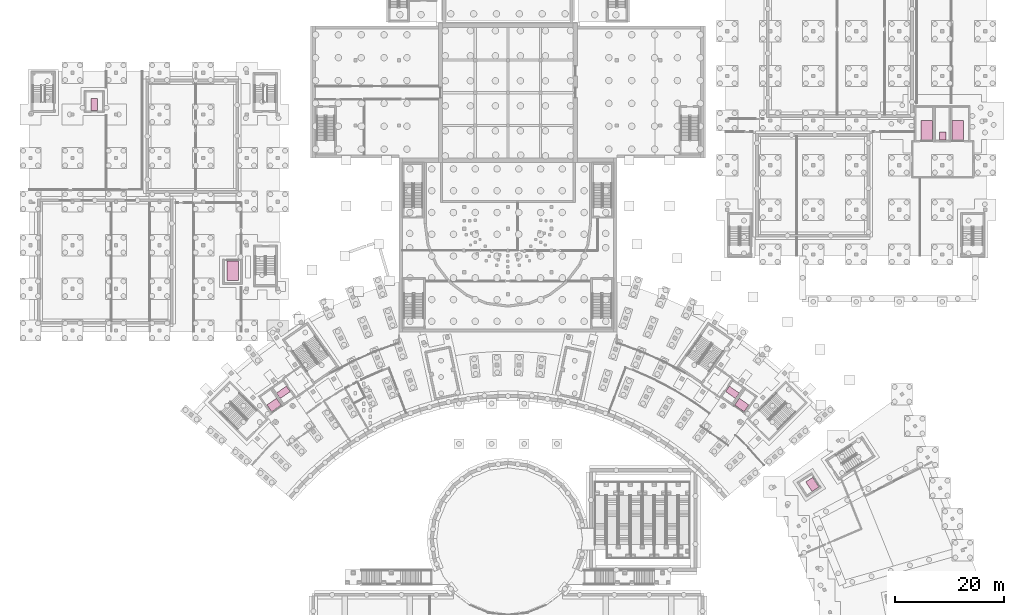
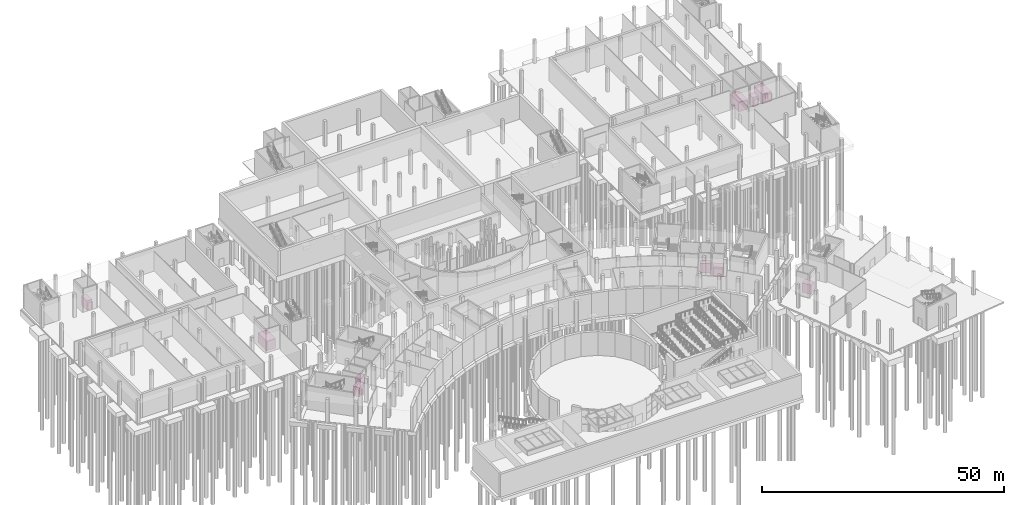
# One storey, part 66 of 66: 10 transport elements.
"""IFC4 building model written with IfcOpenShell, lengths in metres."""

from ifc_helpers import new_model, si_unit, direction, frame, origin, origin_2d, place, context, subcontext, project, spatial, rectangle, extrude, material, type_object, element, save


model = new_model("IFC4")

# Units and contexts
model_context = context("Model", 3, precision=1e-05, world=origin(), true_north=direction((0.0, 1.0)))
body_context = subcontext(model_context, "Body", "Model", "MODEL_VIEW")
ifc_project = project(units=[si_unit("LENGTHUNIT", "METRE"), si_unit("AREAUNIT", "SQUARE_METRE"), si_unit("VOLUMEUNIT", "CUBIC_METRE"), si_unit("PLANEANGLEUNIT", "RADIAN"), si_unit("MASSUNIT", "GRAM", prefix="KILO")], contexts=[model_context])

# Site, building, storey
site_placement = place(None, origin())
site = spatial("IfcSite", under=ifc_project, at=site_placement, CompositionType="ELEMENT")
building_placement = place(site_placement, origin())
building = spatial("IfcBuilding", under=site, at=building_placement, Name="Lunette Opera House", CompositionType="ELEMENT")
storey_placement = place(building_placement, frame((0.0, 0.0, -6.0)))
storey = spatial("IfcBuildingStorey", under=building, at=storey_placement, Name="B1", CompositionType="ELEMENT", Elevation=-6.0)

# Transport elements
ifc_material = material(Name="Stainless steel", Category="steel")
transport_element_type = type_object("IfcTransportElementType", Name="LIFT CAR", PredefinedType="ELEVATOR", material=ifc_material)
for number, where, z_axis, x_axis, name in (
    (1, (137.259033203125, 52.9619140625, 0.0), (0.0, 0.0, 1.0), (-0.573762281289, -0.81902188284, 0.0), "Lift FL1 car"),
    (2, (54.740966796875, 52.9619140625, 0.0), (0.0, 0.0, 1.0), (-0.573762281289, 0.81902188284, 0.0), "Lift FL2 car"),
):
    element("IfcTransportElement", number, at=place(storey_placement, frame(where, z_axis=z_axis, x_axis=x_axis)), inside=storey, type_object=transport_element_type, Name=name, PredefinedType="ELEVATOR", context=body_context, shape_type="SweptSolid", body=[
        extrude(rectangle(XDim=1.219970703125, YDim=2.219970703125, at=origin_2d()), origin(), (0.0, 0.0, 1.0), 2.39990234375),
    ])
for number, where, z_axis, x_axis, name in (
    (3, (53.037109375, 50.635009765625, 0.0), (0.0, 0.0, 1.0), (0.819202095156, 0.573504949666, 0.0), "Lift LF1 car"),
    (4, (138.962890625, 50.635009765625, 0.0), (0.0, 0.0, 1.0), (0.819202095156, -0.573504949666, 0.0), "Lift LF2 car"),
):
    element("IfcTransportElement", number, at=place(storey_placement, frame(where, z_axis=z_axis, x_axis=x_axis)), inside=storey, type_object=transport_element_type, Name=name, PredefinedType="ELEVATOR", context=body_context, shape_type="SweptSolid", body=[
        extrude(rectangle(XDim=2.1201171875, YDim=1.52001953125, at=origin_2d()), origin(), (0.0, 0.0, 1.0), 2.39990234375),
    ])
transport_element_1_placement = place(storey_placement, frame((20.0, 105.820068359375, 0.0), z_axis=(0.0, 0.0, 1.0), x_axis=(1.0, 0.0, 0.0)))
element("IfcTransportElement", 5, at=transport_element_1_placement, inside=storey, type_object=transport_element_type, Name="Lift LF5 car", PredefinedType="ELEVATOR", context=body_context, shape_type="SweptSolid", body=[
    extrude(rectangle(XDim=1.219970703125, YDim=2.219970703125, at=origin_2d()), origin(), (0.0, 0.0, 1.0), 2.39990234375),
])
transport_element_2_placement = place(storey_placement, frame((175.89990234375, 100.070068359375, 0.0), z_axis=(0.0, 0.0, 1.0), x_axis=(1.0, 0.0, 0.0)))
element("IfcTransportElement", 6, at=transport_element_2_placement, inside=storey, type_object=transport_element_type, Name="Lift LF6 car", PredefinedType="ELEVATOR", context=body_context, shape_type="SweptSolid", body=[
    extrude(rectangle(XDim=1.219970703125, YDim=1.52001953125, at=origin_2d()), origin(), (0.0, 0.0, 1.0), 2.39990234375),
])
transport_element_3_placement = place(storey_placement, frame((151.93310546875, 36.02490234375, 0.0), z_axis=(0.0, 0.0, 1.0), x_axis=(-0.544785402346, 0.838575497728, 0.0)))
element("IfcTransportElement", 7, at=transport_element_3_placement, inside=storey, type_object=transport_element_type, Name="Lift LF8 car", PredefinedType="ELEVATOR", context=body_context, shape_type="SweptSolid", body=[
    extrude(rectangle(XDim=2.1201171875, YDim=1.52001953125, at=origin_2d()), origin(), (0.0, 0.0, 1.0), 2.39990234375),
])
for number, where, z_axis, x_axis, name in (
    (8, (45.39990234375, 75.280029296875, 0.0), (0.0, 0.0, 1.0), (-1.0, 0.0, 0.0), "Lift LG1 car"),
    (9, (172.949951171875, 101.1201171875, 0.0), (0.0, 0.0, 1.0), (1.0, 0.0, 0.0), "Lift LG2 car"),
    (10, (178.64990234375, 101.1201171875, 0.0), (0.0, 0.0, 1.0), (1.0, 0.0, 0.0), "Lift LG3 car"),
):
    element("IfcTransportElement", number, at=place(storey_placement, frame(where, z_axis=z_axis, x_axis=x_axis)), inside=storey, type_object=transport_element_type, Name=name, PredefinedType="ELEVATOR", context=body_context, shape_type="SweptSolid", body=[
        extrude(rectangle(XDim=2.1201171875, YDim=3.6201171875, at=origin_2d()), origin(), (0.0, 0.0, 1.0), 2.39990234375),
    ])

save(model, "model.ifc")
